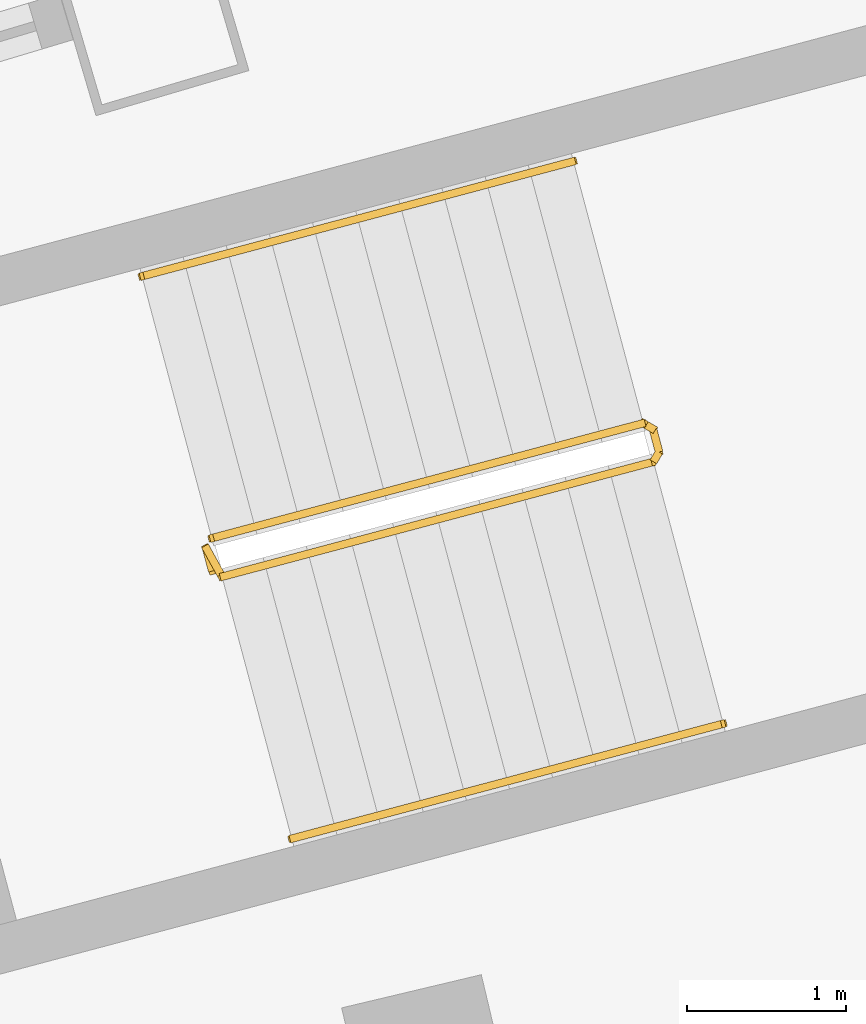
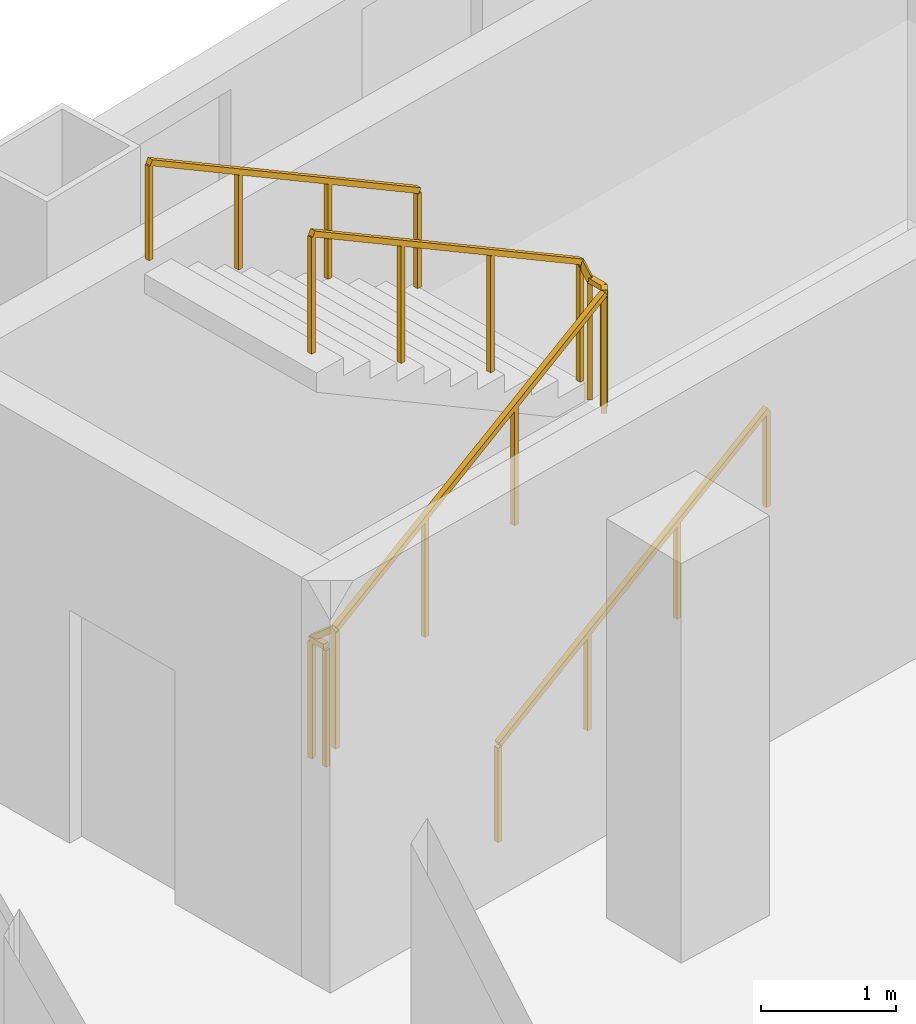
# One storey, part 20 of 20: 3 railings.
"""IFC4 building model written with IfcOpenShell, lengths in metres."""

from ifc_helpers import new_model, si_unit, direction, frame, origin, origin_2d, place, context, subcontext, project, spatial, rectangle, extrude, material, type_object, element, save


model = new_model("IFC4")

# Units and contexts
model_context = context("Model", 3, precision=1e-05, world=origin(), true_north=direction((0.0, 1.0)))
body_context = subcontext(model_context, "Body", "Model", "MODEL_VIEW")
ifc_project = project(units=[si_unit("LENGTHUNIT", "METRE"), si_unit("AREAUNIT", "SQUARE_METRE"), si_unit("VOLUMEUNIT", "CUBIC_METRE"), si_unit("PLANEANGLEUNIT", "RADIAN"), si_unit("MASSUNIT", "GRAM", prefix="KILO")], contexts=[model_context])

# Site, building, storey
site_placement = place(None, origin())
site = spatial("IfcSite", under=ifc_project, at=site_placement, CompositionType="ELEMENT")
building_placement = place(site_placement, origin())
building = spatial("IfcBuilding", under=site, at=building_placement, Name="Alderwake Tower", CompositionType="ELEMENT")
storey_placement = place(building_placement, frame((0.0, 0.0, 142.39990234375)))
storey = spatial("IfcBuildingStorey", under=building, at=storey_placement, Name="L34", CompositionType="ELEMENT", Elevation=142.39990234375)

# Railings
ifc_material_1 = material(Name="Stainless steel guard", Category="steel")
railing_type_1 = type_object("IfcRailingType", Name="Stair guard 1100", PredefinedType="GUARDRAIL", material=ifc_material_1)
railing_1_placement = place(storey_placement, frame((39.23291015625, 92.6806640625, 0.0)))
element("IfcRailing", 1, at=railing_1_placement, inside=storey, type_object=railing_type_1, Name="L34 ST-A stair guard 1", PredefinedType="GUARDRAIL", context=body_context, shape_type="SweptSolid", body=[
    extrude(rectangle(XDim=0.048095703125, YDim=0.048095703125, at=origin_2d()), frame((0.0, 0.0, 1.076171875), z_axis=(-0.257055032184, 0.966396766566, 0.0), x_axis=(-0.966396766566, -0.257055032184, 0.0)), (0.0, 0.0, 1.0), 0.150146484375),
    extrude(rectangle(XDim=0.048095703125, YDim=0.048095703125, at=origin_2d()), frame((-0.03857421875, 0.14501953125, 1.076171875), z_axis=(0.379152066478, -0.68506938173, 0.622031874345), x_axis=(0.874937996095, 0.484234966715, 0.0)), (0.0, 0.0, 1.0), 0.263427734375),
    extrude(rectangle(XDim=0.048095703125, YDim=0.048095703125, at=origin_2d()), frame((0.061279296875, -0.035400390625, 1.23974609375), z_axis=(0.834290631165, 0.222236594766, 0.504549342183), x_axis=(-0.257402139082, 0.966304371715, 0.0)), (0.0, 0.0, 1.0), 3.242919921875),
    extrude(rectangle(XDim=0.048095703125, YDim=0.048095703125, at=origin_2d()), frame((2.766845703125, 0.685302734375, 2.8759765625), z_axis=(0.500220121494, 0.865898279276, 0.0), x_axis=(-0.865898279276, 0.500220121494, 0.0)), (0.0, 0.0, 1.0), 0.07080078125),
    extrude(rectangle(XDim=0.048095703125, YDim=0.048095703125, at=origin_2d()), frame((2.80224609375, 0.74658203125, 2.8759765625), z_axis=(-0.257459803502, 0.966289009345, 0.0), x_axis=(-0.966289009345, -0.257459803502, 0.0)), (0.0, 0.0, 1.0), 0.14990234375),
    extrude(rectangle(XDim=0.048095703125, YDim=0.048095703125, at=origin_2d()), frame((2.763671875, 0.891357421875, 2.8759765625), z_axis=(-0.34252489212, 0.200034536998, 0.917966710881), x_axis=(-0.504300490226, -0.863528236688, 0.0)), (0.0, 0.0, 1.0), 0.17822265625),
    extrude(rectangle(XDim=0.048095703125, YDim=0.048095703125, at=origin_2d()), frame((2.70263671875, 0.927001953125, 3.03955078125), z_axis=(-0.834281824786, -0.222214197128, 0.504573768072), x_axis=(0.257380452725, -0.966310148221, 0.0)), (0.0, 0.0, 1.0), 3.2431640625),
    extrude(rectangle(XDim=0.0419921875, YDim=0.0419921875, at=origin_2d()), frame((0.0, 0.0, 0.0), z_axis=(0.0, 0.0, 1.0), x_axis=(-0.257055032184, 0.966396766566, 0.0)), (0.0, 0.0, 1.0), 1.052001953125),
    extrude(rectangle(XDim=0.0419921875, YDim=0.0419921875, at=origin_2d()), frame((-0.03857421875, 0.14501953125, 0.0), z_axis=(0.0, 0.0, 1.0), x_axis=(0.484234966715, -0.874937996095, 0.0)), (0.0, 0.0, 1.0), 1.052001953125),
    extrude(rectangle(XDim=0.0419921875, YDim=0.0419921875, at=origin_2d()), frame((0.061279296875, -0.035400390625, 0.163818359375), z_axis=(0.0, 0.0, 1.0), x_axis=(0.966304371715, 0.257402139082, 0.0)), (0.0, 0.0, 1.0), 1.052001953125),
    extrude(rectangle(XDim=0.0419921875, YDim=0.0419921875, at=origin_2d()), frame((0.963134765625, 0.204833984375, 0.709228515625), z_axis=(0.0, 0.0, 1.0), x_axis=(0.966304371715, 0.257402139082, 0.0)), (0.0, 0.0, 1.0), 1.052001953125),
    extrude(rectangle(XDim=0.0419921875, YDim=0.0419921875, at=origin_2d()), frame((1.864990234375, 0.445068359375, 1.254638671875), z_axis=(0.0, 0.0, 1.0), x_axis=(0.966304371715, 0.257402139082, 0.0)), (0.0, 0.0, 1.0), 1.052001953125),
    extrude(rectangle(XDim=0.0419921875, YDim=0.0419921875, at=origin_2d()), frame((2.766845703125, 0.685302734375, 1.800048828125), z_axis=(0.0, 0.0, 1.0), x_axis=(0.500220121494, 0.865898279276, 0.0)), (0.0, 0.0, 1.0), 1.052001953125),
    extrude(rectangle(XDim=0.0419921875, YDim=0.0419921875, at=origin_2d()), frame((2.80224609375, 0.74658203125, 1.800048828125), z_axis=(0.0, 0.0, 1.0), x_axis=(-0.257459803502, 0.966289009345, 0.0)), (0.0, 0.0, 1.0), 1.052001953125),
    extrude(rectangle(XDim=0.0419921875, YDim=0.0419921875, at=origin_2d()), frame((2.763671875, 0.891357421875, 1.800048828125), z_axis=(0.0, 0.0, 1.0), x_axis=(-0.863528236688, 0.504300490226, 0.0)), (0.0, 0.0, 1.0), 1.052001953125),
    extrude(rectangle(XDim=0.0419921875, YDim=0.0419921875, at=origin_2d()), frame((2.70263671875, 0.927001953125, 1.963623046875), z_axis=(0.0, 0.0, 1.0), x_axis=(-0.966310148221, -0.257380452725, 0.0)), (0.0, 0.0, 1.0), 1.052001953125),
    extrude(rectangle(XDim=0.0419921875, YDim=0.0419921875, at=origin_2d()), frame((1.80078125, 0.686767578125, 2.509033203125), z_axis=(0.0, 0.0, 1.0), x_axis=(-0.966310148221, -0.257380452725, 0.0)), (0.0, 0.0, 1.0), 1.052001953125),
    extrude(rectangle(XDim=0.0419921875, YDim=0.0419921875, at=origin_2d()), frame((0.898681640625, 0.446533203125, 3.0546875), z_axis=(0.0, 0.0, 1.0), x_axis=(-0.966310148221, -0.257380452725, 0.0)), (0.0, 0.0, 1.0), 1.052001953125),
    extrude(rectangle(XDim=0.0419921875, YDim=0.0419921875, at=origin_2d()), frame((-0.003173828125, 0.206298828125, 3.60009765625), z_axis=(0.0, 0.0, 1.0), x_axis=(-0.966310148221, -0.257380452725, 0.0)), (0.0, 0.0, 1.0), 1.052001953125),
])
ifc_material_2 = material(Name="Stainless steel handrail", Category="steel")
railing_type_2 = type_object("IfcRailingType", Name="Stair handrail 900", PredefinedType="HANDRAIL", material=ifc_material_2)
railing_2_placement = place(storey_placement, frame((39.731689453125, 91.002685546875, 0.163818359375)))
element("IfcRailing", 2, at=railing_2_placement, inside=storey, type_object=railing_type_2, Name="L34 ST-A stair handrail 1", PredefinedType="HANDRAIL", context=body_context, shape_type="SweptSolid", body=[
    extrude(rectangle(XDim=0.048095703125, YDim=0.048095703125, at=origin_2d()), frame((0.0, 0.0, 0.8759765625), z_axis=(0.834290631165, 0.222236594766, 0.504549342183), x_axis=(-0.257402139082, 0.966304371715, 0.0)), (0.0, 0.0, 1.0), 3.242919921875),
    extrude(rectangle(XDim=0.0419921875, YDim=0.0419921875, at=origin_2d()), frame((0.0, 0.0, 0.0), z_axis=(0.0, 0.0, 1.0), x_axis=(0.966304371715, 0.257402139082, 0.0)), (0.0, 0.0, 1.0), 0.851806640625),
    extrude(rectangle(XDim=0.0419921875, YDim=0.0419921875, at=origin_2d()), frame((0.90185546875, 0.240234375, 0.54541015625), z_axis=(0.0, 0.0, 1.0), x_axis=(0.966304371715, 0.257402139082, 0.0)), (0.0, 0.0, 1.0), 0.851806640625),
    extrude(rectangle(XDim=0.0419921875, YDim=0.0419921875, at=origin_2d()), frame((1.8037109375, 0.48046875, 1.0908203125), z_axis=(0.0, 0.0, 1.0), x_axis=(0.966304371715, 0.257402139082, 0.0)), (0.0, 0.0, 1.0), 0.851806640625),
    extrude(rectangle(XDim=0.0419921875, YDim=0.0419921875, at=origin_2d()), frame((2.70556640625, 0.720703125, 1.63623046875), z_axis=(0.0, 0.0, 1.0), x_axis=(0.966304371715, 0.257402139082, 0.0)), (0.0, 0.0, 1.0), 0.851806640625),
])
railing_3_placement = place(storey_placement, frame((41.497802734375, 95.250244140625, 1.963623046875)))
element("IfcRailing", 3, at=railing_3_placement, inside=storey, type_object=railing_type_2, Name="L34 ST-A stair handrail 2", PredefinedType="HANDRAIL", context=body_context, shape_type="SweptSolid", body=[
    extrude(rectangle(XDim=0.048095703125, YDim=0.048095703125, at=origin_2d()), frame((0.0, 0.0, 0.8759765625), z_axis=(-0.834258940753, -0.22222815314, 0.504605457487), x_axis=(0.257402139082, -0.966304371715, 0.0)), (0.0, 0.0, 1.0), 3.2431640625),
    extrude(rectangle(XDim=0.0419921875, YDim=0.0419921875, at=origin_2d()), frame((0.0, 0.0, 0.0), z_axis=(0.0, 0.0, 1.0), x_axis=(-0.966304371715, -0.257402139082, 0.0)), (0.0, 0.0, 1.0), 0.851806640625),
    extrude(rectangle(XDim=0.0419921875, YDim=0.0419921875, at=origin_2d()), frame((-0.90185546875, -0.240234375, 0.54541015625), z_axis=(0.0, 0.0, 1.0), x_axis=(-0.966304371715, -0.257402139082, 0.0)), (0.0, 0.0, 1.0), 0.851806640625),
    extrude(rectangle(XDim=0.0419921875, YDim=0.0419921875, at=origin_2d()), frame((-1.8037109375, -0.48046875, 1.091064453125), z_axis=(0.0, 0.0, 1.0), x_axis=(-0.966304371715, -0.257402139082, 0.0)), (0.0, 0.0, 1.0), 0.851806640625),
    extrude(rectangle(XDim=0.0419921875, YDim=0.0419921875, at=origin_2d()), frame((-2.70556640625, -0.720703125, 1.636474609375), z_axis=(0.0, 0.0, 1.0), x_axis=(-0.966304371715, -0.257402139082, 0.0)), (0.0, 0.0, 1.0), 0.851806640625),
])

save(model, "model.ifc")
